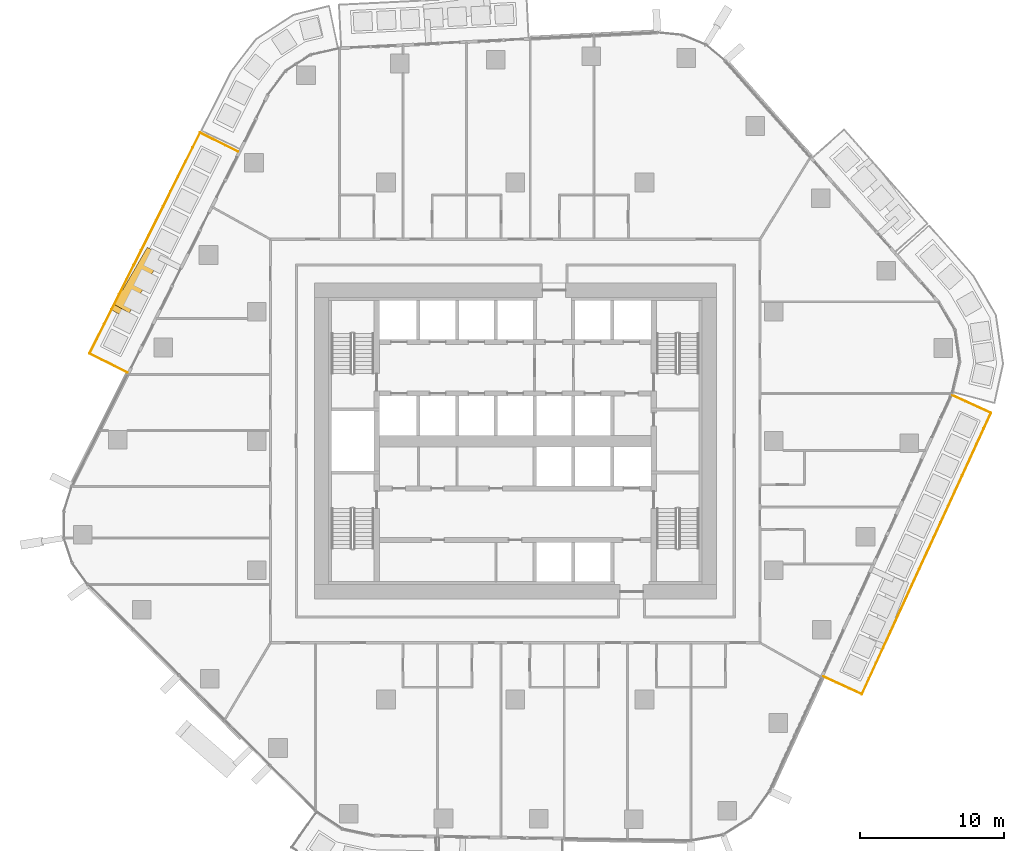
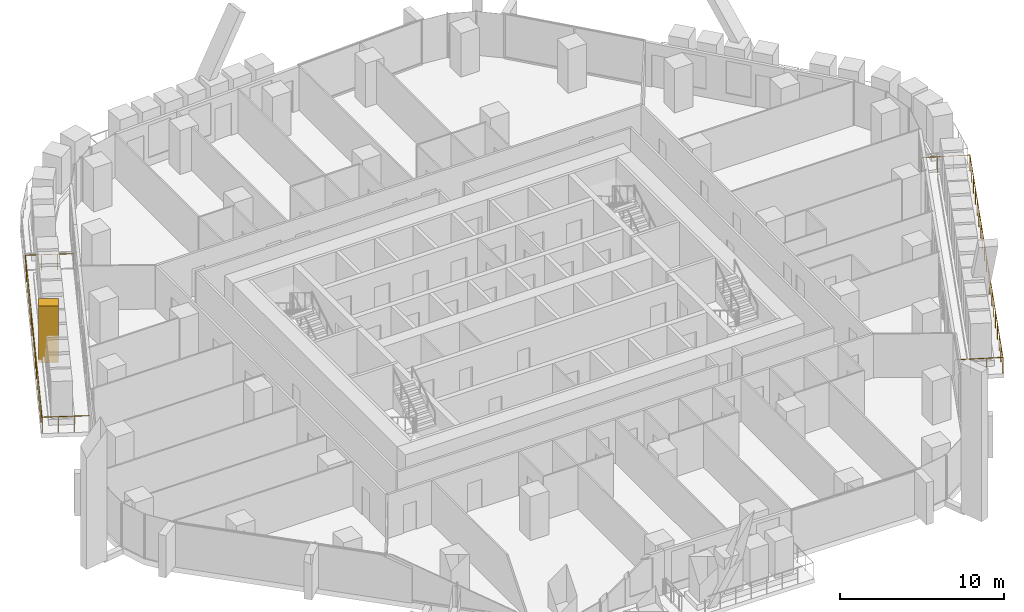
# One storey, part 23 of 26: 2 railings, 1 covering, 1 element without a shape of its own.
"""IFC4 building model written with IfcOpenShell, lengths in metres."""

from ifc_helpers import new_model, si_unit, direction, frame, origin, origin_2d, place, context, subcontext, project, spatial, rectangle, circle, extrude, material, layer, layer_set, material_profile, profile_set, type_object, element, aggregate, save


model = new_model("IFC4")

# Units and contexts
model_context = context("Model", 3, precision=1e-05, world=origin(), true_north=direction((0.0, 1.0)))
body_context = subcontext(model_context, "Body", "Model", "MODEL_VIEW")
ifc_project = project(units=[si_unit("LENGTHUNIT", "METRE"), si_unit("AREAUNIT", "SQUARE_METRE"), si_unit("VOLUMEUNIT", "CUBIC_METRE"), si_unit("PLANEANGLEUNIT", "RADIAN"), si_unit("MASSUNIT", "GRAM", prefix="KILO")], contexts=[model_context])

# Site, building, storey
site_placement = place(None, origin())
site = spatial("IfcSite", under=ifc_project, at=site_placement, CompositionType="ELEMENT")
building_placement = place(site_placement, origin())
building = spatial("IfcBuilding", under=site, at=building_placement, Name="Dongbaek Canopy Tower", CompositionType="ELEMENT")
storey_placement = place(building_placement, frame((0.0, 0.0, 95.199951171875)))
storey = spatial("IfcBuildingStorey", under=building, at=storey_placement, Name="L19", CompositionType="ELEMENT", Elevation=95.199951171875)

# Railings
ifc_material_1 = material(Name="Stainless steel", Category="steel")
railing_type = type_object("IfcRailingType", Name="Balcony balustrade 1200", PredefinedType="BALUSTRADE", material=ifc_material_1)
railing_1_placement = place(storey_placement, frame((-19.31982421875, 20.155029296875, 0.0)))
element("IfcRailing", 1, at=railing_1_placement, inside=storey, type_object=railing_type, Name="Balcony guard L19 3", PredefinedType="BALUSTRADE", context=body_context, shape_type="SweptSolid", body=[
    extrude(circle(Radius=0.02392578125, at=origin_2d()), frame((0.0, 0.0, 1.17578125), z_axis=(-0.894061494849, 0.447944241428, 0.0), x_axis=(-0.447944241428, -0.894061494849, 0.0)), (0.0, 0.0, 1.0), 2.93994140625),
    extrude(circle(Radius=0.02392578125, at=origin_2d()), frame((-2.62841796875, 1.31689453125, 1.17578125), z_axis=(-0.447956937984, -0.894055133486, 0.0), x_axis=(0.894055133486, -0.447956937984, 0.0)), (0.0, 0.0, 1.0), 17.20654296875),
    extrude(circle(Radius=0.02392578125, at=origin_2d()), frame((-10.336181640625, -14.066650390625, 1.17578125), z_axis=(0.894061494849, -0.447944241428, 0.0), x_axis=(0.447944241428, 0.894061494849, 0.0)), (0.0, 0.0, 1.0), 2.93994140625),
    extrude(circle(Radius=0.02099609375, at=origin_2d()), origin(), (0.0, 0.0, 1.0), 1.15185546875),
    extrude(circle(Radius=0.02099609375, at=origin_2d()), frame((-0.876220703125, 0.43896484375, 0.0)), (0.0, 0.0, 1.0), 1.15185546875),
    extrude(circle(Radius=0.02099609375, at=origin_2d()), frame((-1.752197265625, 0.8779296875, 0.0)), (0.0, 0.0, 1.0), 1.15185546875),
    extrude(circle(Radius=0.02099609375, at=origin_2d()), frame((-2.62841796875, 1.31689453125, 0.0)), (0.0, 0.0, 1.0), 1.15185546875),
    extrude(circle(Radius=0.02099609375, at=origin_2d()), frame((-3.142333984375, 0.291259765625, 0.0)), (0.0, 0.0, 1.0), 1.15185546875),
    extrude(circle(Radius=0.02099609375, at=origin_2d()), frame((-3.656005859375, -0.734130859375, 0.0)), (0.0, 0.0, 1.0), 1.15185546875),
    extrude(circle(Radius=0.02099609375, at=origin_2d()), frame((-4.169921875, -1.759765625, 0.0)), (0.0, 0.0, 1.0), 1.15185546875),
    extrude(circle(Radius=0.02099609375, at=origin_2d()), frame((-4.683837890625, -2.785400390625, 0.0)), (0.0, 0.0, 1.0), 1.15185546875),
    extrude(circle(Radius=0.02099609375, at=origin_2d()), frame((-5.19775390625, -3.81103515625, 0.0)), (0.0, 0.0, 1.0), 1.15185546875),
    extrude(circle(Radius=0.02099609375, at=origin_2d()), frame((-5.71142578125, -4.83642578125, 0.0)), (0.0, 0.0, 1.0), 1.15185546875),
    extrude(circle(Radius=0.02099609375, at=origin_2d()), frame((-6.225341796875, -5.862060546875, 0.0)), (0.0, 0.0, 1.0), 1.15185546875),
    extrude(circle(Radius=0.02099609375, at=origin_2d()), frame((-6.7392578125, -6.8876953125, 0.0)), (0.0, 0.0, 1.0), 1.15185546875),
    extrude(circle(Radius=0.02099609375, at=origin_2d()), frame((-7.253173828125, -7.913330078125, 0.0)), (0.0, 0.0, 1.0), 1.15185546875),
    extrude(circle(Radius=0.02099609375, at=origin_2d()), frame((-7.766845703125, -8.938720703125, 0.0)), (0.0, 0.0, 1.0), 1.15185546875),
    extrude(circle(Radius=0.02099609375, at=origin_2d()), frame((-8.28076171875, -9.96435546875, 0.0)), (0.0, 0.0, 1.0), 1.15185546875),
    extrude(circle(Radius=0.02099609375, at=origin_2d()), frame((-8.794677734375, -10.989990234375, 0.0)), (0.0, 0.0, 1.0), 1.15185546875),
    extrude(circle(Radius=0.02099609375, at=origin_2d()), frame((-9.30859375, -12.015625, 0.0)), (0.0, 0.0, 1.0), 1.15185546875),
    extrude(circle(Radius=0.02099609375, at=origin_2d()), frame((-9.822265625, -13.041015625, 0.0)), (0.0, 0.0, 1.0), 1.15185546875),
    extrude(circle(Radius=0.02099609375, at=origin_2d()), frame((-10.336181640625, -14.066650390625, 0.0)), (0.0, 0.0, 1.0), 1.15185546875),
    extrude(circle(Radius=0.02099609375, at=origin_2d()), frame((-9.4599609375, -14.505615234375, 0.0)), (0.0, 0.0, 1.0), 1.15185546875),
    extrude(circle(Radius=0.02099609375, at=origin_2d()), frame((-8.583984375, -14.944580078125, 0.0)), (0.0, 0.0, 1.0), 1.15185546875),
    extrude(circle(Radius=0.02099609375, at=origin_2d()), frame((-7.707763671875, -15.383544921875, 0.0)), (0.0, 0.0, 1.0), 1.15185546875),
])
railing_2_placement = place(storey_placement, frame((21.466064453125, -16.409912109375, 0.0)))
element("IfcRailing", 2, at=railing_2_placement, inside=storey, type_object=railing_type, Name="Balcony guard L19 5", PredefinedType="BALUSTRADE", context=body_context, shape_type="SweptSolid", body=[
    extrude(circle(Radius=0.02392578125, at=origin_2d()), frame((0.0, 0.0, 1.17578125), z_axis=(0.908844513513, -0.417135050382, 0.0), x_axis=(0.417135050382, 0.908844513513, 0.0)), (0.0, 0.0, 1.0), 2.93994140625),
    extrude(circle(Radius=0.02392578125, at=origin_2d()), frame((2.671875, -1.226318359375, 1.17578125), z_axis=(0.41713053938, 0.908846583927, 0.0), x_axis=(-0.908846583927, 0.41713053938, 0.0)), (0.0, 0.0, 1.0), 21.551513671875),
    extrude(circle(Radius=0.02392578125, at=origin_2d()), frame((11.66162109375, 18.360595703125, 1.17578125), z_axis=(-0.908858961845, 0.417103569241, 0.0), x_axis=(-0.417103569241, -0.908858961845, 0.0)), (0.0, 0.0, 1.0), 2.940185546875),
    extrude(circle(Radius=0.02099609375, at=origin_2d()), origin(), (0.0, 0.0, 1.0), 1.15185546875),
    extrude(circle(Radius=0.02099609375, at=origin_2d()), frame((0.890625, -0.40869140625, 0.0)), (0.0, 0.0, 1.0), 1.15185546875),
    extrude(circle(Radius=0.02099609375, at=origin_2d()), frame((1.78125, -0.817626953125, 0.0)), (0.0, 0.0, 1.0), 1.15185546875),
    extrude(circle(Radius=0.02099609375, at=origin_2d()), frame((2.671875, -1.226318359375, 0.0)), (0.0, 0.0, 1.0), 1.15185546875),
    extrude(circle(Radius=0.02099609375, at=origin_2d()), frame((3.17138671875, -0.13818359375, 0.0)), (0.0, 0.0, 1.0), 1.15185546875),
    extrude(circle(Radius=0.02099609375, at=origin_2d()), frame((3.670654296875, 0.949951171875, 0.0)), (0.0, 0.0, 1.0), 1.15185546875),
    extrude(circle(Radius=0.02099609375, at=origin_2d()), frame((4.170166015625, 2.0380859375, 0.0)), (0.0, 0.0, 1.0), 1.15185546875),
    extrude(circle(Radius=0.02099609375, at=origin_2d()), frame((4.669677734375, 3.126220703125, 0.0)), (0.0, 0.0, 1.0), 1.15185546875),
    extrude(circle(Radius=0.02099609375, at=origin_2d()), frame((5.1689453125, 4.214599609375, 0.0)), (0.0, 0.0, 1.0), 1.15185546875),
    extrude(circle(Radius=0.02099609375, at=origin_2d()), frame((5.66845703125, 5.302734375, 0.0)), (0.0, 0.0, 1.0), 1.15185546875),
    extrude(circle(Radius=0.02099609375, at=origin_2d()), frame((6.16796875, 6.390869140625, 0.0)), (0.0, 0.0, 1.0), 1.15185546875),
    extrude(circle(Radius=0.02099609375, at=origin_2d()), frame((6.667236328125, 7.47900390625, 0.0)), (0.0, 0.0, 1.0), 1.15185546875),
    extrude(circle(Radius=0.02099609375, at=origin_2d()), frame((7.166748046875, 8.567138671875, 0.0)), (0.0, 0.0, 1.0), 1.15185546875),
    extrude(circle(Radius=0.02099609375, at=origin_2d()), frame((7.666259765625, 9.6552734375, 0.0)), (0.0, 0.0, 1.0), 1.15185546875),
    extrude(circle(Radius=0.02099609375, at=origin_2d()), frame((8.16552734375, 10.743408203125, 0.0)), (0.0, 0.0, 1.0), 1.15185546875),
    extrude(circle(Radius=0.02099609375, at=origin_2d()), frame((8.6650390625, 11.83154296875, 0.0)), (0.0, 0.0, 1.0), 1.15185546875),
    extrude(circle(Radius=0.02099609375, at=origin_2d()), frame((9.16455078125, 12.919677734375, 0.0)), (0.0, 0.0, 1.0), 1.15185546875),
    extrude(circle(Radius=0.02099609375, at=origin_2d()), frame((9.663818359375, 14.008056640625, 0.0)), (0.0, 0.0, 1.0), 1.15185546875),
    extrude(circle(Radius=0.02099609375, at=origin_2d()), frame((10.163330078125, 15.09619140625, 0.0)), (0.0, 0.0, 1.0), 1.15185546875),
    extrude(circle(Radius=0.02099609375, at=origin_2d()), frame((10.662841796875, 16.184326171875, 0.0)), (0.0, 0.0, 1.0), 1.15185546875),
    extrude(circle(Radius=0.02099609375, at=origin_2d()), frame((11.162109375, 17.2724609375, 0.0)), (0.0, 0.0, 1.0), 1.15185546875),
    extrude(circle(Radius=0.02099609375, at=origin_2d()), frame((11.66162109375, 18.360595703125, 0.0)), (0.0, 0.0, 1.0), 1.15185546875),
    extrude(circle(Radius=0.02099609375, at=origin_2d()), frame((10.77099609375, 18.769287109375, 0.0)), (0.0, 0.0, 1.0), 1.15185546875),
    extrude(circle(Radius=0.02099609375, at=origin_2d()), frame((9.880126953125, 19.17822265625, 0.0)), (0.0, 0.0, 1.0), 1.15185546875),
    extrude(circle(Radius=0.02099609375, at=origin_2d()), frame((8.989501953125, 19.5869140625, 0.0)), (0.0, 0.0, 1.0), 1.15185546875),
])

# Curtain wall, covering
ifc_material_2 = material(Name="Aluminium 6063-T6 pale anodised", Category="aluminium")
ifc_layer = layer(ifc_material_2, 0.199951171875)
ifc_layer_set = layer_set([ifc_layer], Name="CW-1 unitised tower curtain wall")
curtain_wall_type = type_object("IfcCurtainWallType", Name="CW-1 unitised tower curtain wall", PredefinedType="NOTDEFINED", material=ifc_layer_set)
curtain_wall_placement = place(storey_placement, origin())
curtain_wall = element("IfcCurtainWall", 3, at=curtain_wall_placement, inside=storey, type_object=curtain_wall_type, Name="CW-1 curtain wall F2.1", PredefinedType="NOTDEFINED")
ifc_material_3 = material(Name="Aluminium 6063-T6 pale metal fin", Category="aluminium")
ifc_material_profile = material_profile(ifc_material_3, rectangle(XDim=1.199951171875, YDim=0.5, at=origin_2d()), Name="Crease fin CF1 500 x 1200 pale metal")
ifc_profile_set = profile_set([ifc_material_profile], Name="Aluminium 6063-T6 pale metal fin")
covering_type = type_object("IfcCoveringType", Name="Crease fin CF1 500 x 1200 pale metal", PredefinedType="CLADDING", material=ifc_profile_set)
covering_placement = place(storey_placement, frame((-25.21630859375, 13.009521484375, -0.224853515625), z_axis=(-0.263755653577, -0.456969071467, 0.849477617674), x_axis=(0.866087410283, -0.499892586211, 0.0)))
covering = element("IfcCovering", 4, at=covering_placement, type_object=covering_type, Name="Crease fin L19 L21 F2", PredefinedType="CLADDING", context=body_context, shape_type="SweptSolid", body=[
    extrude(rectangle(XDim=1.199951171875, YDim=0.5, at=origin_2d()), origin(), (0.0, 0.0, 1.0), 8.711181640625),
])
aggregate(curtain_wall, [covering])

save(model, "model.ifc")
